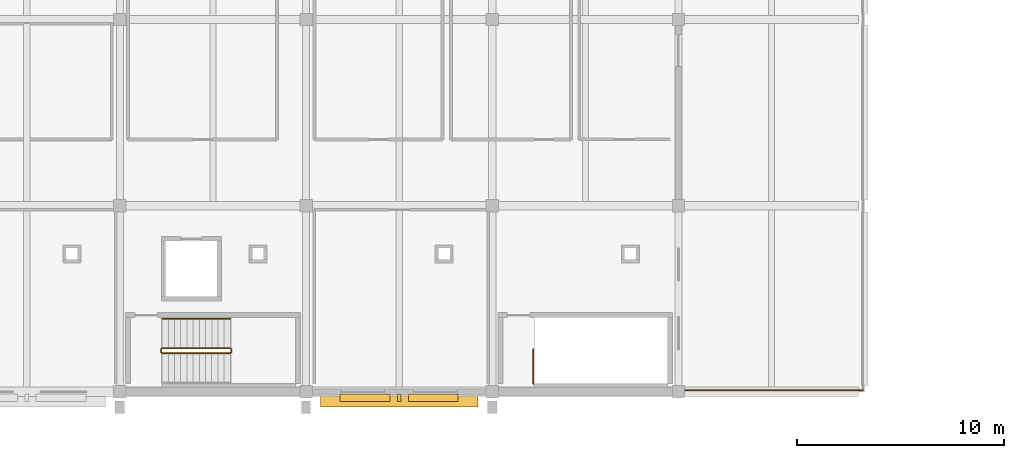
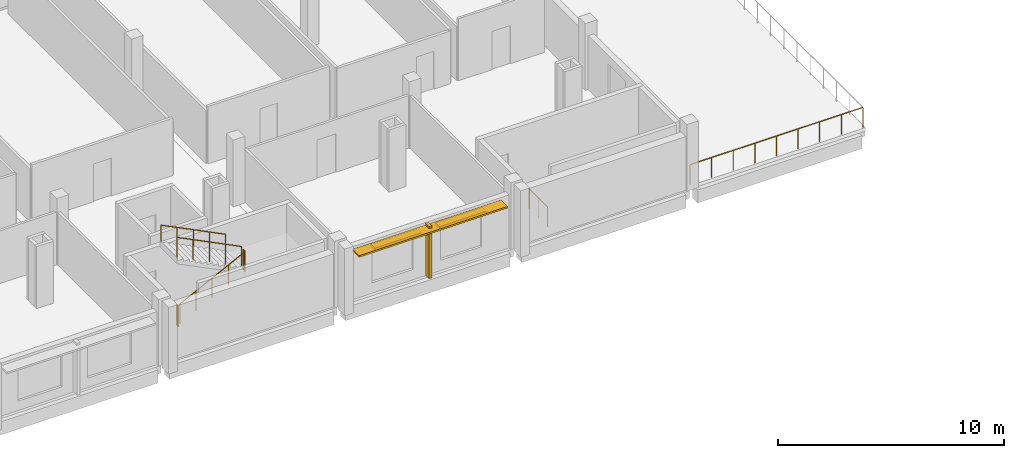
# One storey, part 160 of 163: 7 railings, 4 shading devices.
"""IFC4 building model written with IfcOpenShell, lengths in metres."""

from ifc_helpers import new_model, si_unit, direction, frame, origin, origin_2d, place, context, subcontext, project, spatial, rectangle, circle, extrude, material, layer, layer_set, type_object, element, save


model = new_model("IFC4")

# Units and contexts
model_context = context("Model", 3, precision=1e-05, world=origin(), true_north=direction((0.0, 1.0)))
body_context = subcontext(model_context, "Body", "Model", "MODEL_VIEW")
ifc_project = project(units=[si_unit("LENGTHUNIT", "METRE"), si_unit("AREAUNIT", "SQUARE_METRE"), si_unit("VOLUMEUNIT", "CUBIC_METRE"), si_unit("PLANEANGLEUNIT", "RADIAN"), si_unit("MASSUNIT", "GRAM", prefix="KILO")], contexts=[model_context])

# Site, building, storey
site_placement = place(None, origin())
site = spatial("IfcSite", under=ifc_project, at=site_placement, CompositionType="ELEMENT")
building_placement = place(site_placement, origin())
building = spatial("IfcBuilding", under=site, at=building_placement, Name="Tharagai Park Tramway Depot", CompositionType="ELEMENT")
storey_placement = place(building_placement, frame((0.0, 0.0, 8.39990234375)))
storey = spatial("IfcBuildingStorey", under=building, at=storey_placement, Name="L02", CompositionType="ELEMENT", Elevation=8.39990234375)

# Railings
ifc_material_1 = material(Name="Galvanised steel", Category="steel")
railing_type_1 = type_object("IfcRailingType", Name="GR-01", PredefinedType="BALUSTRADE", material=ifc_material_1)
railing_1_placement = place(storey_placement, frame((90.080078125, 0.080078125, 0.0)))
element("IfcRailing", 1, at=railing_1_placement, inside=storey, type_object=railing_type_1, Name="East Court Terrace Perimeter Guard S", PredefinedType="BALUSTRADE", context=body_context, shape_type="SweptSolid", body=[
    extrude(circle(Radius=0.02392578125, at=origin_2d()), frame((0.0, 0.0, 1.076171875), z_axis=(1.0, 0.0, 0.0), x_axis=(0.0, 1.0, 0.0)), (0.0, 0.0, 1.0), 8.83984375),
    extrude(circle(Radius=0.02099609375, at=origin_2d()), origin(), (0.0, 0.0, 1.0), 1.052001953125),
    extrude(circle(Radius=0.02099609375, at=origin_2d()), frame((1.10498046875, 0.0, 0.0)), (0.0, 0.0, 1.0), 1.052001953125),
    extrude(circle(Radius=0.02099609375, at=origin_2d()), frame((2.2099609375, 0.0, 0.0)), (0.0, 0.0, 1.0), 1.052001953125),
    extrude(circle(Radius=0.02099609375, at=origin_2d()), frame((3.31494140625, 0.0, 0.0)), (0.0, 0.0, 1.0), 1.052001953125),
    extrude(circle(Radius=0.02099609375, at=origin_2d()), frame((4.419921875, 0.0, 0.0)), (0.0, 0.0, 1.0), 1.052001953125),
    extrude(circle(Radius=0.02099609375, at=origin_2d()), frame((5.52490234375, 0.0, 0.0)), (0.0, 0.0, 1.0), 1.052001953125),
    extrude(circle(Radius=0.02099609375, at=origin_2d()), frame((6.6298828125, 0.0, 0.0)), (0.0, 0.0, 1.0), 1.052001953125),
    extrude(circle(Radius=0.02099609375, at=origin_2d()), frame((7.73486328125, 0.0, 0.0)), (0.0, 0.0, 1.0), 1.052001953125),
    extrude(circle(Radius=0.02099609375, at=origin_2d()), frame((8.83984375, 0.0, 0.0)), (0.0, 0.0, 1.0), 1.052001953125),
])
railing_type_2 = type_object("IfcRailingType", Name="HR-02", PredefinedType="GUARDRAIL", material=ifc_material_1)
railing_2_placement = place(storey_placement, frame((65.0400390625, 1.8701171875, 0.150146484375)))
element("IfcRailing", 2, at=railing_2_placement, inside=storey, type_object=railing_type_2, Name="L02 ST-04 stair guard 1", PredefinedType="GUARDRAIL", context=body_context, shape_type="SweptSolid", body=[
    extrude(circle(Radius=0.02392578125, at=origin_2d()), frame((0.0, 0.0, 1.076171875), z_axis=(0.894440424912, 0.0, 0.447187126696), x_axis=(0.0, 1.0, 0.0)), (0.0, 0.0, 1.0), 3.689453125),
    extrude(circle(Radius=0.02099609375, at=origin_2d()), origin(), (0.0, 0.0, 1.0), 1.052001953125),
    extrude(circle(Radius=0.02099609375, at=origin_2d()), frame((0.824951171875, 0.0, 0.41259765625)), (0.0, 0.0, 1.0), 1.052001953125),
    extrude(circle(Radius=0.02099609375, at=origin_2d()), frame((1.64990234375, 0.0, 0.824951171875)), (0.0, 0.0, 1.0), 1.052001953125),
    extrude(circle(Radius=0.02099609375, at=origin_2d()), frame((2.47509765625, 0.0, 1.2373046875)), (0.0, 0.0, 1.0), 1.052001953125),
    extrude(circle(Radius=0.02099609375, at=origin_2d()), frame((3.300048828125, 0.0, 1.64990234375)), (0.0, 0.0, 1.0), 1.052001953125),
])
railing_3_placement = place(storey_placement, frame((68.389892578125, 1.919921875, 1.800048828125)))
element("IfcRailing", 3, at=railing_3_placement, inside=storey, type_object=railing_type_2, Name="L02 ST-04 stair guard 2", PredefinedType="GUARDRAIL", context=body_context, shape_type="SweptSolid", body=[
    extrude(circle(Radius=0.02392578125, at=origin_2d()), frame((0.0, 0.0, 1.076171875), z_axis=(0.0, 1.0, 0.0), x_axis=(-1.0, 0.0, 0.0)), (0.0, 0.0, 1.0), 0.150146484375),
    extrude(circle(Radius=0.02099609375, at=origin_2d()), origin(), (0.0, 0.0, 1.0), 1.052001953125),
    extrude(circle(Radius=0.02099609375, at=origin_2d()), frame((0.0, 0.150146484375, 0.0)), (0.0, 0.0, 1.0), 1.052001953125),
])
railing_4_placement = place(storey_placement, frame((68.340087890625, 2.1201171875, 1.9501953125)))
element("IfcRailing", 4, at=railing_4_placement, inside=storey, type_object=railing_type_2, Name="L02 ST-04 stair guard 3", PredefinedType="GUARDRAIL", context=body_context, shape_type="SweptSolid", body=[
    extrude(circle(Radius=0.02392578125, at=origin_2d()), frame((0.0, 0.0, 1.076171875), z_axis=(-0.894440424912, 0.0, 0.447187126696), x_axis=(0.0, -1.0, 0.0)), (0.0, 0.0, 1.0), 3.689453125),
    extrude(circle(Radius=0.02099609375, at=origin_2d()), origin(), (0.0, 0.0, 1.0), 1.052001953125),
    extrude(circle(Radius=0.02099609375, at=origin_2d()), frame((-0.824951171875, 0.0, 0.41259765625)), (0.0, 0.0, 1.0), 1.052001953125),
    extrude(circle(Radius=0.02099609375, at=origin_2d()), frame((-1.64990234375, 0.0, 0.824951171875)), (0.0, 0.0, 1.0), 1.052001953125),
    extrude(circle(Radius=0.02099609375, at=origin_2d()), frame((-2.47509765625, 0.0, 1.2373046875)), (0.0, 0.0, 1.0), 1.052001953125),
    extrude(circle(Radius=0.02099609375, at=origin_2d()), frame((-3.300048828125, 0.0, 1.64990234375)), (0.0, 0.0, 1.0), 1.052001953125),
])
railing_5_placement = place(storey_placement, frame((64.989990234375, 1.919921875, 0.0)))
element("IfcRailing", 5, at=railing_5_placement, inside=storey, type_object=railing_type_2, Name="L02 ST-04 stair guard 4", PredefinedType="GUARDRAIL", context=body_context, shape_type="SweptSolid", body=[
    extrude(circle(Radius=0.02392578125, at=origin_2d()), frame((0.0, 0.0, 1.076171875), z_axis=(0.0, 1.0, 0.0), x_axis=(-1.0, 0.0, 0.0)), (0.0, 0.0, 1.0), 0.150146484375),
    extrude(circle(Radius=0.02099609375, at=origin_2d()), origin(), (0.0, 0.0, 1.0), 1.052001953125),
    extrude(circle(Radius=0.02099609375, at=origin_2d()), frame((0.0, 0.150146484375, 0.0)), (0.0, 0.0, 1.0), 1.052001953125),
])
railing_6_placement = place(storey_placement, frame((82.989990234375, 0.39990234375, 0.0)))
element("IfcRailing", 6, at=railing_6_placement, inside=storey, type_object=railing_type_2, Name="L02 ST-05 top well guard 1", PredefinedType="GUARDRAIL", context=body_context, shape_type="SweptSolid", body=[
    extrude(circle(Radius=0.02392578125, at=origin_2d()), frame((0.0, 0.0, 1.076171875), z_axis=(0.0, 1.0, 0.0), x_axis=(-1.0, 0.0, 0.0)), (0.0, 0.0, 1.0), 1.670166015625),
    extrude(circle(Radius=0.02099609375, at=origin_2d()), origin(), (0.0, 0.0, 1.0), 1.052001953125),
    extrude(circle(Radius=0.02099609375, at=origin_2d()), frame((0.0, 0.8349609375, 0.0)), (0.0, 0.0, 1.0), 1.052001953125),
    extrude(circle(Radius=0.02099609375, at=origin_2d()), frame((0.0, 1.670166015625, 0.0)), (0.0, 0.0, 1.0), 1.052001953125),
])
railing_type_3 = type_object("IfcRailingType", Name="HR-03", PredefinedType="HANDRAIL", material=ifc_material_1)
railing_7_placement = place(storey_placement, frame((68.340087890625, 3.5400390625, 1.9501953125)))
element("IfcRailing", 7, at=railing_7_placement, inside=storey, type_object=railing_type_3, Name="L02 ST-04 stair handrail 2", PredefinedType="HANDRAIL", context=body_context, shape_type="SweptSolid", body=[
    extrude(circle(Radius=0.02392578125, at=origin_2d()), frame((0.0, 0.0, 0.8759765625), z_axis=(-0.894440424912, 0.0, 0.447187126696), x_axis=(0.0, -1.0, 0.0)), (0.0, 0.0, 1.0), 3.689453125),
    extrude(circle(Radius=0.02099609375, at=origin_2d()), origin(), (0.0, 0.0, 1.0), 0.851806640625),
    extrude(circle(Radius=0.02099609375, at=origin_2d()), frame((-0.824951171875, 0.0, 0.41259765625)), (0.0, 0.0, 1.0), 0.851806640625),
    extrude(circle(Radius=0.02099609375, at=origin_2d()), frame((-1.64990234375, 0.0, 0.824951171875)), (0.0, 0.0, 1.0), 0.851806640625),
    extrude(circle(Radius=0.02099609375, at=origin_2d()), frame((-2.47509765625, 0.0, 1.2373046875)), (0.0, 0.0, 1.0), 0.851806640625),
    extrude(circle(Radius=0.02099609375, at=origin_2d()), frame((-3.300048828125, 0.0, 1.64990234375)), (0.0, 0.0, 1.0), 0.851806640625),
])

# Shading devices
ifc_material_2 = material(Name="Anodised aluminium", Category="aluminium")
ifc_layer_1 = layer(ifc_material_2, 0.090087890625)
ifc_layer_set_1 = layer_set([ifc_layer_1], Name="Anodised aluminium")
shading_device_type_1 = type_object("IfcShadingDeviceType", Name="SD-01", PredefinedType="SHUTTER", material=ifc_layer_set_1)
shading_device_1_placement = place(storey_placement, frame((76.5, -0.429931640625, 2.63720703125), z_axis=(0.0, 0.0, 1.0), x_axis=(1.0, 0.0, 0.0)))
element("IfcShadingDevice", 8, at=shading_device_1_placement, inside=storey, type_object=shading_device_type_1, Name="Monsoon Storm Louvre Hood SD-01 #54", PredefinedType="SHUTTER", context=body_context, shape_type="SweptSolid", body=[
    extrude(rectangle(XDim=7.60400390625, YDim=0.580078125, at=origin_2d()), origin(), (0.0, 0.0, 1.0), 0.090087890625),
])
ifc_material_3 = material(Name="Charnockite stone", Category="masonry")
ifc_layer_2 = layer(ifc_material_3, 0.159912109375)
ifc_layer_set_2 = layer_set([ifc_layer_2], Name="Charnockite stone")
shading_device_type_2 = type_object("IfcShadingDeviceType", Name="SD-02", PredefinedType="JALOUSIE", material=ifc_layer_set_2)
shading_device_2_placement = place(storey_placement, frame((76.5, -0.2900390625, 0.0302734375), z_axis=(0.0, 0.0, 1.0), x_axis=(1.0, 0.0, 0.0)))
element("IfcShadingDevice", 9, at=shading_device_2_placement, inside=storey, type_object=shading_device_type_2, Name="Charnockite Gothic Lancet Mullion Fin SD-02 #22", PredefinedType="JALOUSIE", context=body_context, shape_type="SweptSolid", body=[
    extrude(rectangle(XDim=0.159912109375, YDim=0.360107421875, at=origin_2d()), origin(), (0.0, 0.0, 1.0), 2.802001953125),
])
ifc_layer_3 = layer(ifc_material_3, 0.139892578125)
ifc_layer_set_3 = layer_set([ifc_layer_3], Name="Charnockite stone")
shading_device_type_3 = type_object("IfcShadingDeviceType", Name="SD-03", PredefinedType="AWNING", material=ifc_layer_set_3)
for number, where, z_axis, x_axis, name in (
    (10, (74.85009765625, -0.2900390625, 2.51220703125), (0.0, 0.0, 1.0), (1.0, 0.0, 0.0), "Charnockite Gothic Window Hood Drip Moulding SD-03 #8-1"),
    (11, (78.14990234375, -0.2900390625, 2.51220703125), (0.0, 0.0, 1.0), (1.0, 0.0, 0.0), "Charnockite Gothic Window Hood Drip Moulding SD-03 #8-2"),
):
    element("IfcShadingDevice", number, at=place(storey_placement, frame(where, z_axis=z_axis, x_axis=x_axis)), inside=storey, type_object=shading_device_type_3, Name=name, PredefinedType="AWNING", context=body_context, shape_type="SweptSolid", body=[
        extrude(rectangle(XDim=2.39990234375, YDim=0.360107421875, at=origin_2d()), origin(), (0.0, 0.0, 1.0), 0.139892578125),
    ])

save(model, "model.ifc")
